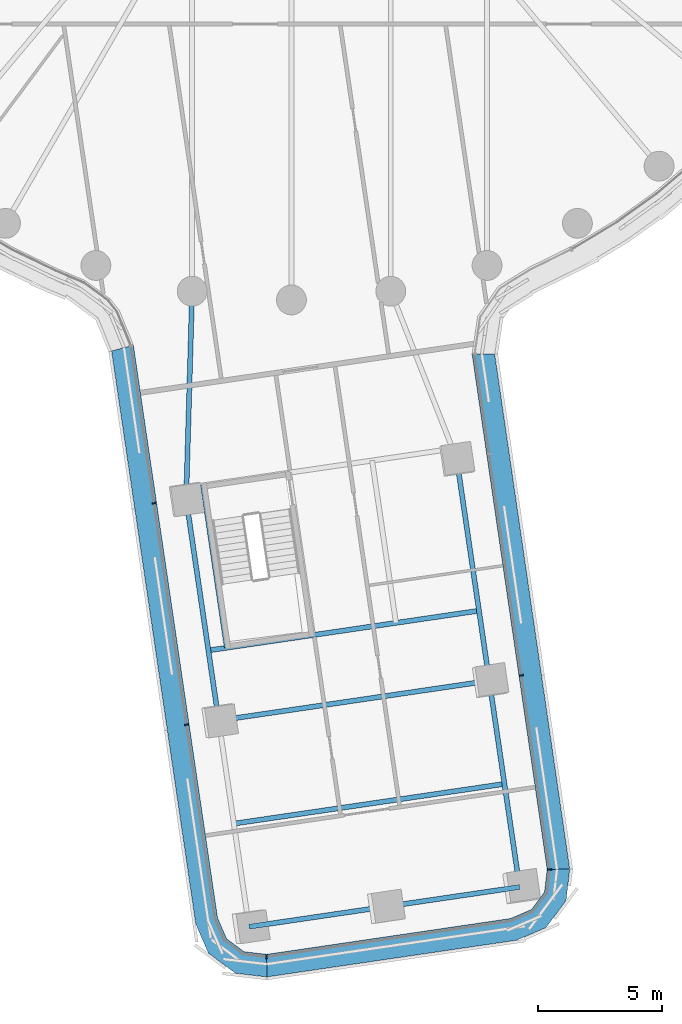
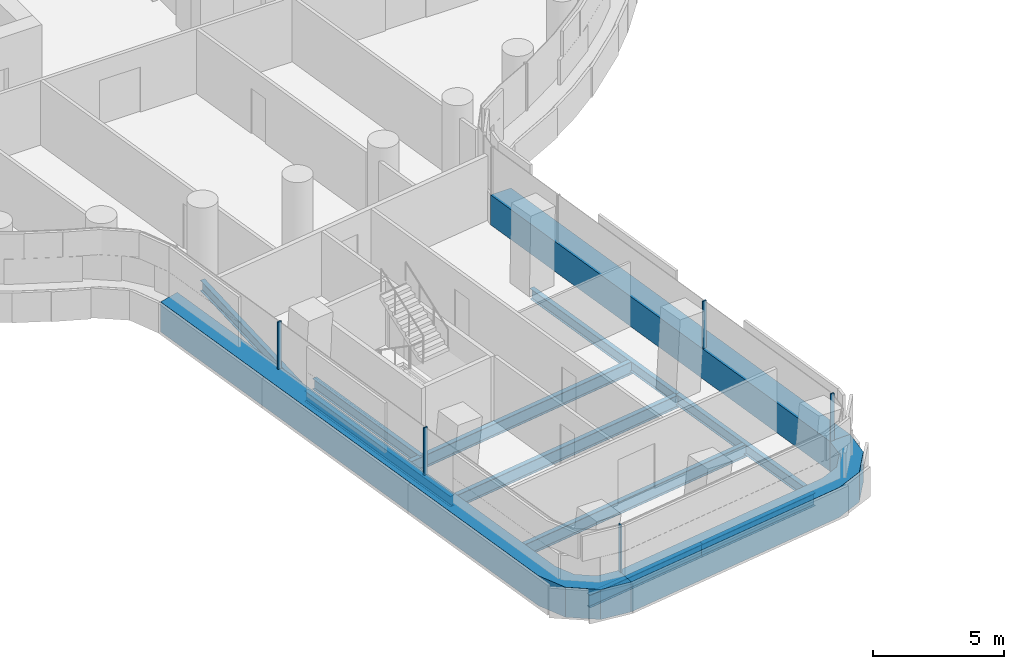
# One storey, part 2 of 31: 10 beams, 8 members, 3 elements without a shape of their own.
"""IFC4 building model written with IfcOpenShell, lengths in metres."""

from ifc_helpers import new_model, si_unit, direction, frame, origin, origin_2d, place, context, subcontext, project, spatial, polyline, rectangle, i_section, outline, extrude, material, layer, layer_set, material_profile, profile_set, type_object, element, aggregate, save


model = new_model("IFC4")

# Units and contexts
model_context = context("Model", 3, precision=1e-05, world=origin(), true_north=direction((0.0, 1.0)))
body_context = subcontext(model_context, "Body", "Model", "MODEL_VIEW")
ifc_project = project(units=[si_unit("LENGTHUNIT", "METRE"), si_unit("AREAUNIT", "SQUARE_METRE"), si_unit("VOLUMEUNIT", "CUBIC_METRE"), si_unit("PLANEANGLEUNIT", "RADIAN"), si_unit("MASSUNIT", "GRAM", prefix="KILO")], contexts=[model_context])

# Site, building, storey
site_placement = place(None, origin())
site = spatial("IfcSite", under=ifc_project, at=site_placement, CompositionType="ELEMENT")
building_placement = place(site_placement, origin())
building = spatial("IfcBuilding", under=site, at=building_placement, Name="Tamarind Cross Interchange Tower", CompositionType="ELEMENT")
storey_placement = place(building_placement, frame((0.0, 0.0, 64.0)))
storey = spatial("IfcBuildingStorey", under=building, at=storey_placement, Name="L14", CompositionType="ELEMENT", Elevation=64.0)

# Beams
ifc_material_1 = material(Name="Steel Q355B", Category="steel")
ifc_material_profile_1 = material_profile(ifc_material_1, i_section(OverallWidth=0.198974609375, OverallDepth=0.49609375, WebThickness=0.009033203125, FlangeThickness=0.013916015625, FilletRadius=0.012939453125, at=origin_2d()), Name="HN 496x199x9x14")
ifc_profile_set_1 = profile_set([ifc_material_profile_1], Name="Steel Q355B")
beam_type_1 = type_object("IfcBeamType", Name="Composite beam HN 496x199x9x14 Q355B", PredefinedType="BEAM", material=ifc_profile_set_1)
beam_1_placement = place(storey_placement, frame((-2.9267578125, -39.915771484375, -0.387939453125), z_axis=(-0.145369819361, 0.989377387865, 0.0), x_axis=(-0.989377387865, -0.145369819361, 0.0)))
element("IfcBeam", 1, at=beam_1_placement, inside=storey, type_object=beam_type_1, Name="Beam S-edgeem6", PredefinedType="BEAM", context=body_context, shape_type="SweptSolid", body=[
    extrude(i_section(OverallWidth=0.198974609375, OverallDepth=0.49609375, WebThickness=0.009033203125, FlangeThickness=0.013916015625, FilletRadius=0.012939453125, at=origin_2d()), origin(), (0.0, 0.0, 1.0), 9.000244140625),
])
beam_2_placement = place(storey_placement, frame((9.175048828125, -46.6103515625, -0.387939453125), z_axis=(-0.145387505433, 0.989374789078, 0.0), x_axis=(-0.989374789078, -0.145387505433, 0.0)))
element("IfcBeam", 2, at=beam_2_placement, inside=storey, type_object=beam_type_1, Name="Beam S-edgeep2", PredefinedType="BEAM", context=body_context, shape_type="SweptSolid", body=[
    extrude(i_section(OverallWidth=0.198974609375, OverallDepth=0.49609375, WebThickness=0.009033203125, FlangeThickness=0.013916015625, FilletRadius=0.012939453125, at=origin_2d()), origin(), (0.0, 0.0, 1.0), 8.3828125),
])
beam_3_placement = place(storey_placement, frame((7.956298828125, -38.316650390625, -0.387939453125), z_axis=(-0.14534716703, 0.989380715921, 0.0), x_axis=(-0.989380715921, -0.14534716703, 0.0)))
element("IfcBeam", 3, at=beam_3_placement, inside=storey, type_object=beam_type_1, Name="Beam S-edgeep3", PredefinedType="BEAM", context=body_context, shape_type="SweptSolid", body=[
    extrude(i_section(OverallWidth=0.198974609375, OverallDepth=0.49609375, WebThickness=0.009033203125, FlangeThickness=0.013916015625, FilletRadius=0.012939453125, at=origin_2d()), origin(), (0.0, 0.0, 1.0), 8.999755859375),
])
beam_4_placement = place(storey_placement, frame((-4.235107421875, -31.01123046875, -0.387939453125), z_axis=(0.028838927224, 0.99958407164, 0.0), x_axis=(-0.99958407164, 0.028838927224, 0.0)))
element("IfcBeam", 4, at=beam_4_placement, inside=storey, type_object=beam_type_1, Name="Beam S-linkem", PredefinedType="BEAM", context=body_context, shape_type="SweptSolid", body=[
    extrude(i_section(OverallWidth=0.198974609375, OverallDepth=0.49609375, WebThickness=0.009033203125, FlangeThickness=0.013916015625, FilletRadius=0.012939453125, at=origin_2d()), origin(), (0.0, 0.0, 1.0), 8.364013671875),
])
beam_5_placement = place(storey_placement, frame((-3.558349609375, -30.45703125, -0.387939453125), z_axis=(0.145335315118, -0.98938245698, 0.0), x_axis=(0.98938245698, 0.145335315118, 0.0)))
element("IfcBeam", 5, at=beam_5_placement, inside=storey, type_object=beam_type_1, Name="Beam S-tr0", PredefinedType="BEAM", context=body_context, shape_type="SweptSolid", body=[
    extrude(i_section(OverallWidth=0.198974609375, OverallDepth=0.49609375, WebThickness=0.009033203125, FlangeThickness=0.013916015625, FilletRadius=0.012939453125, at=origin_2d()), origin(), (0.0, 0.0, 1.0), 6.60009765625),
])
ifc_material_profile_2 = material_profile(ifc_material_1, i_section(OverallWidth=0.199951171875, OverallDepth=0.60009765625, WebThickness=0.010986328125, FlangeThickness=0.01708984375, FilletRadius=0.012939453125, at=origin_2d()), Name="HN 600x200x11x17")
ifc_profile_set_2 = profile_set([ifc_material_profile_2], Name="Steel Q355B")
beam_type_2 = type_object("IfcBeamType", Name="Composite beam HN 600x200x11x17 Q355B", PredefinedType="BEAM", material=ifc_profile_set_2)
for number, where, z_axis, x_axis, name in (
    (6, (-1.708251953125, -48.209228515625, -0.43994140625), (0.98938336449, 0.145329137033, 0.0), (-0.145329137033, 0.98938336449, 0.0), "Beam S-tip0"),
    (7, (3.7333984375, -47.409912109375, -0.43994140625), (0.98937698107, 0.145372587958, 0.0), (-0.145372587958, 0.98937698107, 0.0), "Beam S-tip1"),
):
    element("IfcBeam", number, at=place(storey_placement, frame(where, z_axis=z_axis, x_axis=x_axis)), inside=storey, type_object=beam_type_2, Name=name, PredefinedType="BEAM", context=body_context, shape_type="SweptSolid", body=[
        extrude(i_section(OverallWidth=0.199951171875, OverallDepth=0.60009765625, WebThickness=0.010986328125, FlangeThickness=0.01708984375, FilletRadius=0.012939453125, at=origin_2d()), origin(), (0.0, 0.0, 1.0), 5.5),
    ])
for number, where, z_axis, x_axis, name in (
    (8, (-3.341064453125, -37.095947265625, -0.43994140625), (0.989379704095, 0.14535405438, 0.0), (-0.14535405438, 0.989379704095, 0.0), "Beam S-x364"),
    (9, (-2.9267578125, -39.915771484375, -0.43994140625), (0.989376512018, 0.145375780194, 0.0), (-0.145375780194, 0.989376512018, 0.0), "Beam S-x393"),
    (10, (-2.3173828125, -44.0625, -0.43994140625), (0.989379704095, 0.14535405438, 0.0), (-0.14535405438, 0.989379704095, 0.0), "Beam S-x435"),
):
    element("IfcBeam", number, at=place(storey_placement, frame(where, z_axis=z_axis, x_axis=x_axis)), inside=storey, type_object=beam_type_2, Name=name, PredefinedType="BEAM", context=body_context, shape_type="SweptSolid", body=[
        extrude(i_section(OverallWidth=0.199951171875, OverallDepth=0.60009765625, WebThickness=0.010986328125, FlangeThickness=0.01708984375, FilletRadius=0.012939453125, at=origin_2d()), origin(), (0.0, 0.0, 1.0), 11.0),
    ])

# Curtain wall, member
ifc_material_2 = material(Name="Aluminium 6063-T6", Category="aluminium")
ifc_layer = layer(ifc_material_2, 0.159912109375)
ifc_layer_set = layer_set([ifc_layer], Name="Aluminium 6063-T6")
curtain_wall_type = type_object("IfcCurtainWallType", Name="Office curtain wall, 9.0 m bays", PredefinedType="NOTDEFINED", material=ifc_layer_set)
curtain_wall_1_placement = place(storey_placement, origin())
curtain_wall_1 = element("IfcCurtainWall", 11, at=curtain_wall_1_placement, inside=storey, type_object=curtain_wall_type, Name="CWS-L14-03", PredefinedType="NOTDEFINED")
ifc_material_3 = material(Name="Aluminium and insulated spandrel panel", Category="aluminium")
member_type_1 = type_object("IfcMemberType", Name="Floor-edge blade transom", PredefinedType="USERDEFINED", material=ifc_material_3)
member_1_placement = place(storey_placement, origin())
member_1 = element("IfcMember", 12, at=member_1_placement, type_object=member_type_1, Name="CWT-L14-03", ObjectType="TRANSOM", PredefinedType="USERDEFINED", context=body_context, shape_type="SweptSolid", body=[
    extrude(outline(polyline([(-6.3583984375, -24.815185546875), (-2.973876953125, -47.85009765625), (-2.611083984375, -48.6904296875), (-1.9091796875, -49.21240234375), (-1.0, -49.318115234375), (-0.986328125, -50.225830078125), (-2.2529296875, -50.078369140625), (-3.341552734375, -49.2685546875), (-3.84716796875, -48.09814453125), (-7.23291015625, -25.052978515625), (-6.3583984375, -24.815185546875)])), origin(), (0.0, 0.0, 1.0), 1.39990234375),
])

curtain_wall_2_placement = place(storey_placement, origin())
curtain_wall_2 = element("IfcCurtainWall", 13, at=curtain_wall_2_placement, inside=storey, type_object=curtain_wall_type, Name="CWS-L14-04", PredefinedType="NOTDEFINED")
member_2_placement = place(storey_placement, origin())
member_2 = element("IfcMember", 14, at=member_2_placement, type_object=member_type_1, Name="CWT-L14-04", ObjectType="TRANSOM", PredefinedType="USERDEFINED", context=body_context, shape_type="SweptSolid", body=[
    extrude(outline(polyline([(-1.0, -49.318115234375), (8.815673828125, -47.8759765625), (9.656005859375, -47.51318359375), (10.177978515625, -46.811279296875), (10.28369140625, -45.90185546875), (11.19140625, -45.888916015625), (11.0439453125, -47.155029296875), (10.234130859375, -48.24365234375), (9.063720703125, -48.749267578125), (-0.986328125, -50.225830078125), (-1.0, -49.318115234375)])), origin(), (0.0, 0.0, 1.0), 1.39990234375),
])

curtain_wall_3_placement = place(storey_placement, origin())
curtain_wall_3 = element("IfcCurtainWall", 15, at=curtain_wall_3_placement, inside=storey, type_object=curtain_wall_type, Name="CWS-L14-05", PredefinedType="NOTDEFINED")
member_3_placement = place(storey_placement, origin())
member_3 = element("IfcMember", 16, at=member_3_placement, type_object=member_type_1, Name="CWT-L14-05", ObjectType="TRANSOM", PredefinedType="USERDEFINED", context=body_context, shape_type="SweptSolid", body=[
    extrude(outline(polyline([(10.28369140625, -45.90185546875), (7.263916015625, -25.17724609375), (8.173583984375, -25.177978515625), (11.19140625, -45.888916015625), (10.28369140625, -45.90185546875)])), origin(), (0.0, 0.0, 1.0), 1.39990234375),
])

# Member
ifc_material_profile_3 = material_profile(ifc_material_2, rectangle(XDim=0.06005859375, YDim=0.159912109375, at=origin_2d()), Name="Mullion CW1")
ifc_profile_set_3 = profile_set([ifc_material_profile_3], Name="Aluminium 6063-T6")
member_type_2 = type_object("IfcMemberType", Name="Mullion CW1", PredefinedType="MULLION", material=ifc_profile_set_3)
member_4_placement = place(storey_placement, frame((-5.52490234375, -31.176025390625, 1.39990234375), z_axis=(0.0, 0.0, 1.0), x_axis=(0.14536472205, -0.989378136803, 0.0)))
member_4 = element("IfcMember", 17, at=member_4_placement, type_object=member_type_2, Name="CWM-L14-03-01", PredefinedType="MULLION", context=body_context, shape_type="SweptSolid", body=[
    extrude(rectangle(XDim=0.06005859375, YDim=0.159912109375, at=origin_2d()), origin(), (0.0, 0.0, 1.0), 2.210205078125),
])

member_5_placement = place(storey_placement, frame((-4.216552734375, -40.07958984375, 1.39990234375), z_axis=(0.0, 0.0, 1.0), x_axis=(0.14536472205, -0.989378136803, 0.0)))
member_5 = element("IfcMember", 18, at=member_5_placement, type_object=member_type_2, Name="CWM-L14-03-02", PredefinedType="MULLION", context=body_context, shape_type="SweptSolid", body=[
    extrude(rectangle(XDim=0.06005859375, YDim=0.159912109375, at=origin_2d()), origin(), (0.0, 0.0, 1.0), 2.210205078125),
])

aggregate(curtain_wall_1, [member_4, member_5, member_1])

member_6_placement = place(storey_placement, frame((-0.99853515625, -49.4189453125, 1.39990234375), z_axis=(0.0, 0.0, 1.0), x_axis=(0.999887773341, 0.014981345838, 0.0)))
member_6 = element("IfcMember", 19, at=member_6_placement, type_object=member_type_2, Name="CWM-L14-04-00", PredefinedType="MULLION", context=body_context, shape_type="SweptSolid", body=[
    extrude(rectangle(XDim=0.06005859375, YDim=0.159912109375, at=origin_2d()), origin(), (0.0, 0.0, 1.0), 2.210205078125),
])

aggregate(curtain_wall_2, [member_6, member_2])

member_7_placement = place(storey_placement, frame((10.384521484375, -45.900390625, 1.39990234375), z_axis=(0.0, 0.0, 1.0), x_axis=(-0.014386141659, 0.999896514109, 0.0)))
member_7 = element("IfcMember", 20, at=member_7_placement, type_object=member_type_2, Name="CWM-L14-05-00", PredefinedType="MULLION", context=body_context, shape_type="SweptSolid", body=[
    extrude(rectangle(XDim=0.06005859375, YDim=0.159912109375, at=origin_2d()), origin(), (0.0, 0.0, 1.0), 2.210205078125),
])

member_8_placement = place(storey_placement, frame((9.247802734375, -38.09912109375, 1.39990234375), z_axis=(0.0, 0.0, 1.0), x_axis=(-0.144186728298, 0.989550497642, 0.0)))
member_8 = element("IfcMember", 21, at=member_8_placement, type_object=member_type_2, Name="CWM-L14-05-01", PredefinedType="MULLION", context=body_context, shape_type="SweptSolid", body=[
    extrude(rectangle(XDim=0.06005859375, YDim=0.159912109375, at=origin_2d()), origin(), (0.0, 0.0, 1.0), 2.210205078125),
])

aggregate(curtain_wall_3, [member_7, member_8, member_3])

save(model, "model.ifc")
